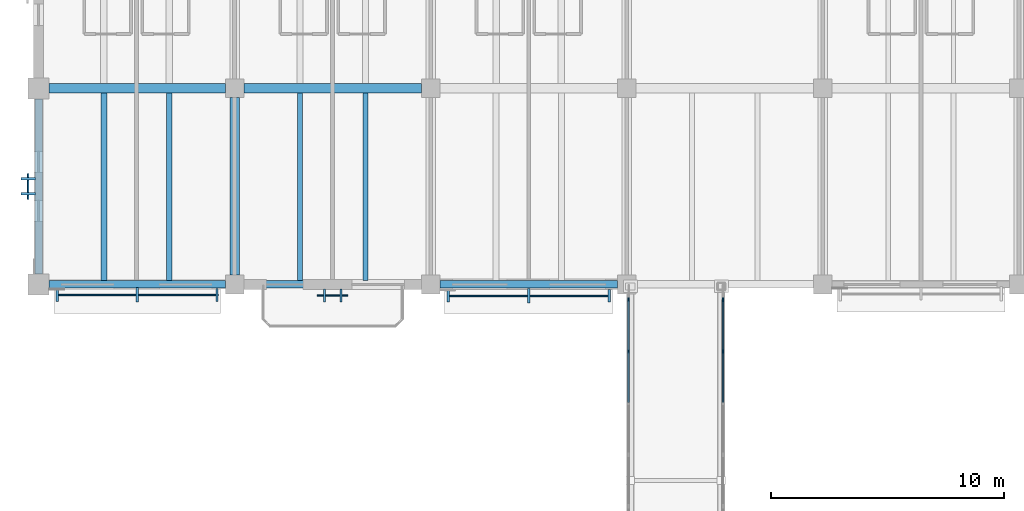
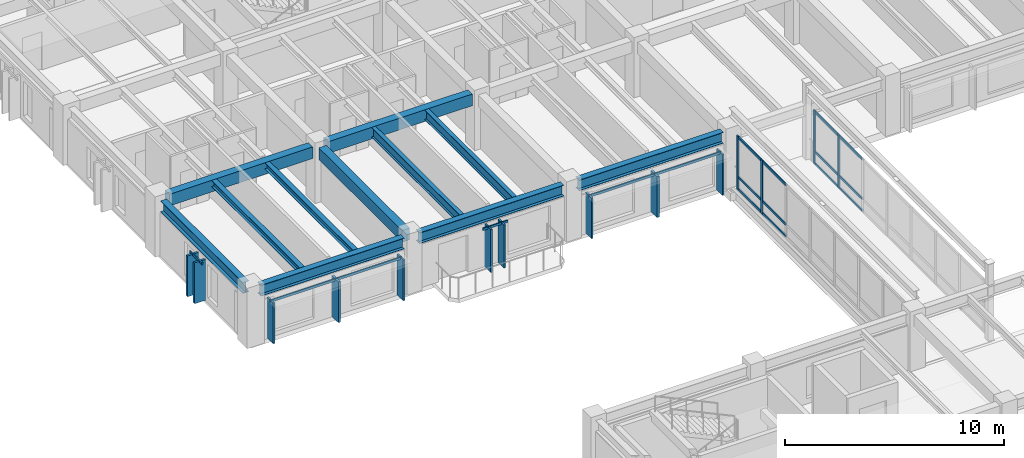
# One storey, part 15 of 123: 30 members, 11 beams, 6 elements without a shape of their own.
"""IFC4 building model written with IfcOpenShell, lengths in metres."""

from ifc_helpers import new_model, si_unit, direction, frame, origin, origin_2d, place, context, subcontext, project, spatial, rectangle, i_section, extrude, material, material_profile, profile_set, type_object, element, aggregate, save


model = new_model("IFC4")

# Units and contexts
model_context = context("Model", 3, precision=1e-05, world=origin(), true_north=direction((0.0, 1.0)))
body_context = subcontext(model_context, "Body", "Model", "MODEL_VIEW")
ifc_project = project(units=[si_unit("LENGTHUNIT", "METRE"), si_unit("AREAUNIT", "SQUARE_METRE"), si_unit("VOLUMEUNIT", "CUBIC_METRE"), si_unit("PLANEANGLEUNIT", "RADIAN"), si_unit("MASSUNIT", "GRAM", prefix="KILO")], contexts=[model_context])

# Site, building, storey
site_placement = place(None, origin())
site = spatial("IfcSite", under=ifc_project, at=site_placement, CompositionType="ELEMENT")
building_placement = place(site_placement, origin())
building = spatial("IfcBuilding", under=site, at=building_placement, Name="Cumbredor Promenade Congress Hotel", CompositionType="ELEMENT")
storey_placement = place(building_placement, frame((0.0, 0.0, 11.760009765625)))
storey = spatial("IfcBuildingStorey", under=building, at=storey_placement, Name="L03", CompositionType="ELEMENT", Elevation=11.760009765625)

# Beams
ifc_material_1 = material(Name="Concrete C40/50", Category="concrete")
ifc_material_profile_1 = material_profile(ifc_material_1, rectangle(XDim=0.39990234375, YDim=0.64990234375, at=origin_2d()), Name="RC BEAM 400x650")
ifc_profile_set_1 = profile_set([ifc_material_profile_1], Name="Concrete C40/50")
beam_type_1 = type_object("IfcBeamType", Name="BM-RC-400x650", PredefinedType="BEAM", material=ifc_profile_set_1)
beam_1_placement = place(storey_placement, frame((0.449951171875, 92.39990234375, 2.715087890625), z_axis=(1.0, 0.0, 0.0), x_axis=(0.0, 1.0, 0.0)))
element("IfcBeam", 1, at=beam_1_placement, inside=storey, type_object=beam_type_1, Name="L04 X-Grid Beam 003", PredefinedType="BEAM", context=body_context, shape_type="SweptSolid", body=[
    extrude(rectangle(XDim=0.39990234375, YDim=0.64990234375, at=origin_2d()), origin(), (0.0, 0.0, 1.0), 7.550048828125),
])
beam_2_placement = place(storey_placement, frame((8.39990234375, 84.39990234375, 2.715087890625), z_axis=(0.0, 1.0, 0.0), x_axis=(-1.0, 0.0, 0.0)))
element("IfcBeam", 2, at=beam_2_placement, inside=storey, type_object=beam_type_1, Name="L04 Y-Grid Beam 026", PredefinedType="BEAM", context=body_context, shape_type="SweptSolid", body=[
    extrude(rectangle(XDim=0.39990234375, YDim=0.64990234375, at=origin_2d()), origin(), (0.0, 0.0, 1.0), 7.60009765625),
])
beam_3_placement = place(storey_placement, frame((8.800048828125, 92.39990234375, 2.715087890625), z_axis=(1.0, 0.0, 0.0), x_axis=(0.0, 1.0, 0.0)))
element("IfcBeam", 3, at=beam_3_placement, inside=storey, type_object=beam_type_1, Name="L04 X-Grid Beam 027", PredefinedType="BEAM", context=body_context, shape_type="SweptSolid", body=[
    extrude(rectangle(XDim=0.39990234375, YDim=0.64990234375, at=origin_2d()), origin(), (0.0, 0.0, 1.0), 7.599853515625),
])
ifc_material_2 = material(Name="Steel ASTM A992 Grade 50", Category="steel")
ifc_material_profile_2 = material_profile(ifc_material_2, i_section(OverallWidth=0.323974609375, OverallDepth=0.611083984375, WebThickness=0.0126953125, FlangeThickness=0.01904296875, at=origin_2d()), Name="W24X104")
ifc_profile_set_2 = profile_set([ifc_material_profile_2], Name="Steel ASTM A992 Grade 50")
beam_type_2 = type_object("IfcBeamType", Name="BM-W24X104", PredefinedType="BEAM", material=ifc_profile_set_2)
beam_4_placement = place(storey_placement, frame((0.449951171875, 84.0, 2.734375), z_axis=(1.0, 0.0, 0.0), x_axis=(0.0, 1.0, 0.0)))
element("IfcBeam", 4, at=beam_4_placement, inside=storey, type_object=beam_type_2, Name="L04 X-Grid Beam 001", PredefinedType="BEAM", context=body_context, shape_type="SweptSolid", body=[
    extrude(i_section(OverallWidth=0.323974609375, OverallDepth=0.611083984375, WebThickness=0.0126953125, FlangeThickness=0.01904296875, at=origin_2d()), origin(), (0.0, 0.0, 1.0), 7.550048828125),
])
beam_5_placement = place(storey_placement, frame((8.800048828125, 84.0, 2.734375), z_axis=(1.0, 0.0, 0.0), x_axis=(0.0, 1.0, 0.0)))
element("IfcBeam", 5, at=beam_5_placement, inside=storey, type_object=beam_type_2, Name="L04 X-Grid Beam 025", PredefinedType="BEAM", context=body_context, shape_type="SweptSolid", body=[
    extrude(i_section(OverallWidth=0.323974609375, OverallDepth=0.611083984375, WebThickness=0.0126953125, FlangeThickness=0.01904296875, at=origin_2d()), origin(), (0.0, 0.0, 1.0), 7.599853515625),
])
beam_6_placement = place(storey_placement, frame((17.199951171875, 84.0, 2.734375), z_axis=(1.0, 0.0, 0.0), x_axis=(0.0, 1.0, 0.0)))
element("IfcBeam", 6, at=beam_6_placement, inside=storey, type_object=beam_type_2, Name="L04 X-Grid Beam 043", PredefinedType="BEAM", context=body_context, shape_type="SweptSolid", body=[
    extrude(i_section(OverallWidth=0.323974609375, OverallDepth=0.611083984375, WebThickness=0.0126953125, FlangeThickness=0.01904296875, at=origin_2d()), origin(), (0.0, 0.0, 1.0), 7.60009765625),
])

# Curtain wall, members
ifc_material_3 = material(Name="Thermally broken anodized aluminium and low-E glass", Category="aluminium")
curtain_wall_type_1 = type_object("IfcCurtainWallType", Name="Unitised Bridge Glazing Screen CW-05", PredefinedType="NOTDEFINED", material=ifc_material_3)
curtain_wall_1_placement = place(storey_placement, origin())
curtain_wall_1 = element("IfcCurtainWall", 7, at=curtain_wall_1_placement, inside=storey, type_object=curtain_wall_type_1, Name="L03 West Congress-to-Hotel Glazed Bridge West Glazing Screen", PredefinedType="NOTDEFINED")
ifc_material_4 = material(Name="Thermally broken anodized aluminium", Category="aluminium")
ifc_material_profile_3 = material_profile(ifc_material_4, rectangle(XDim=0.06494140625, YDim=0.159912109375, at=origin_2d()), Name="ALU MULLION 65x160")
ifc_profile_set_3 = profile_set([ifc_material_profile_3], Name="Thermally broken anodized aluminium")
member_type_1 = type_object("IfcMemberType", Name="Curtain Wall Mullion ML-01", PredefinedType="MULLION", material=ifc_profile_set_3)
member_1_placement = place(storey_placement, frame((25.280029296875, 81.128662109375, -0.008056640625), z_axis=(0.0, 0.0, 1.0), x_axis=(1.0, 0.0, 0.0)))
member_1 = element("IfcMember", 8, at=member_1_placement, type_object=member_type_1, Name="L03 West Congress-to-Hotel Glazed Bridge West Glazing Screen Mullion 7", PredefinedType="MULLION", context=body_context, shape_type="SweptSolid", body=[
    extrude(rectangle(XDim=0.06494140625, YDim=0.159912109375, at=origin_2d()), origin(), (0.0, 0.0, 1.0), 2.99609375),
])
member_2_placement = place(storey_placement, frame((25.280029296875, 83.340087890625, -0.008056640625), z_axis=(0.0, 0.0, 1.0), x_axis=(1.0, 0.0, 0.0)))
member_2 = element("IfcMember", 9, at=member_2_placement, type_object=member_type_1, Name="L03 West Congress-to-Hotel Glazed Bridge West Glazing Screen Mullion 8", PredefinedType="MULLION", context=body_context, shape_type="SweptSolid", body=[
    extrude(rectangle(XDim=0.06494140625, YDim=0.159912109375, at=origin_2d()), origin(), (0.0, 0.0, 1.0), 2.99609375),
])

curtain_wall_2_placement = place(storey_placement, origin())
curtain_wall_2 = element("IfcCurtainWall", 10, at=curtain_wall_2_placement, inside=storey, type_object=curtain_wall_type_1, Name="L03 West Congress-to-Hotel Glazed Bridge East Glazing Screen", PredefinedType="NOTDEFINED")
member_3_placement = place(storey_placement, frame((29.320068359375, 81.128662109375, -0.008056640625), z_axis=(0.0, 0.0, 1.0), x_axis=(1.0, 0.0, 0.0)))
member_3 = element("IfcMember", 11, at=member_3_placement, type_object=member_type_1, Name="L03 West Congress-to-Hotel Glazed Bridge East Glazing Screen Mullion 7", PredefinedType="MULLION", context=body_context, shape_type="SweptSolid", body=[
    extrude(rectangle(XDim=0.06494140625, YDim=0.159912109375, at=origin_2d()), origin(), (0.0, 0.0, 1.0), 2.99609375),
])
member_4_placement = place(storey_placement, frame((29.320068359375, 83.340087890625, -0.008056640625), z_axis=(0.0, 0.0, 1.0), x_axis=(1.0, 0.0, 0.0)))
member_4 = element("IfcMember", 12, at=member_4_placement, type_object=member_type_1, Name="L03 West Congress-to-Hotel Glazed Bridge East Glazing Screen Mullion 8", PredefinedType="MULLION", context=body_context, shape_type="SweptSolid", body=[
    extrude(rectangle(XDim=0.06494140625, YDim=0.159912109375, at=origin_2d()), origin(), (0.0, 0.0, 1.0), 2.99609375),
])

# Curtain wall, member
curtain_wall_type_2 = type_object("IfcCurtainWallType", Name="Solar Brise-Soleil Screen Assembly CW-07", PredefinedType="NOTDEFINED", material=ifc_material_3)
curtain_wall_3_placement = place(storey_placement, origin())
curtain_wall_3 = element("IfcCurtainWall", 13, at=curtain_wall_3_placement, inside=storey, type_object=curtain_wall_type_2, Name="L03 Hospitality Brise-Soleil Screen 056", PredefinedType="NOTDEFINED")
ifc_material_profile_4 = material_profile(ifc_material_4, rectangle(XDim=0.06494140625, YDim=0.1298828125, at=origin_2d()), Name="ALU TRANSOM 65x130")
ifc_profile_set_4 = profile_set([ifc_material_profile_4], Name="Thermally broken anodized aluminium")
member_type_2 = type_object("IfcMemberType", Name="Curtain Wall Transom TR-01", PredefinedType="USERDEFINED", material=ifc_profile_set_4)
member_5_placement = place(storey_placement, frame((0.7509765625, 83.550048828125, 2.23388671875), z_axis=(1.0, 0.0, 0.0), x_axis=(0.0, 1.0, 0.0)))
member_5 = element("IfcMember", 14, at=member_5_placement, type_object=member_type_2, Name="L03 Brise-Soleil Screen Transom 056", ObjectType="TRANSOM", PredefinedType="USERDEFINED", context=body_context, shape_type="SweptSolid", body=[
    extrude(rectangle(XDim=0.06494140625, YDim=0.1298828125, at=origin_2d()), origin(), (0.0, 0.0, 1.0), 6.947998046875),
])

curtain_wall_4_placement = place(storey_placement, origin())
curtain_wall_4 = element("IfcCurtainWall", 15, at=curtain_wall_4_placement, inside=storey, type_object=curtain_wall_type_2, Name="L03 Veranda Solar Brise-Soleil Screen 622", PredefinedType="NOTDEFINED")
member_6_placement = place(storey_placement, frame((11.949951171875, 83.527587890625, 2.333984375), z_axis=(1.0, 0.0, 0.0), x_axis=(0.0, 1.0, 0.0)))
member_6 = element("IfcMember", 16, at=member_6_placement, type_object=member_type_2, Name="L03 Brise-Soleil Header Tie 0624", ObjectType="TRANSOM", PredefinedType="USERDEFINED", context=body_context, shape_type="SweptSolid", body=[
    extrude(rectangle(XDim=0.06494140625, YDim=0.1298828125, at=origin_2d()), origin(), (0.0, 0.0, 1.0), 1.300048828125),
])

curtain_wall_5_placement = place(storey_placement, origin())
curtain_wall_5 = element("IfcCurtainWall", 17, at=curtain_wall_5_placement, inside=storey, type_object=curtain_wall_type_2, Name="L03 Hospitality Brise-Soleil Screen 057", PredefinedType="NOTDEFINED")
member_7_placement = place(storey_placement, frame((17.5009765625, 83.514892578125, 2.23388671875), z_axis=(1.0, 0.0, 0.0), x_axis=(0.0, 1.0, 0.0)))
member_7 = element("IfcMember", 18, at=member_7_placement, type_object=member_type_2, Name="L03 Brise-Soleil Screen Transom 057", ObjectType="TRANSOM", PredefinedType="USERDEFINED", context=body_context, shape_type="SweptSolid", body=[
    extrude(rectangle(XDim=0.06494140625, YDim=0.1298828125, at=origin_2d()), origin(), (0.0, 0.0, 1.0), 6.998046875),
])

curtain_wall_6_placement = place(storey_placement, origin())
curtain_wall_6 = element("IfcCurtainWall", 19, at=curtain_wall_6_placement, inside=storey, type_object=curtain_wall_type_2, Name="L03 Pier Brise-Soleil Screen 0673", PredefinedType="NOTDEFINED")
member_8_placement = place(storey_placement, frame((-0.449951171875, 87.64990234375, 2.25390625), z_axis=(0.0, 1.0, 0.0), x_axis=(-1.0, 0.0, 0.0)))
member_8 = element("IfcMember", 20, at=member_8_placement, type_object=member_type_2, Name="L03 Pier Brise-Soleil Header 0675", ObjectType="TRANSOM", PredefinedType="USERDEFINED", context=body_context, shape_type="SweptSolid", body=[
    extrude(rectangle(XDim=0.06494140625, YDim=0.1298828125, at=origin_2d()), origin(), (0.0, 0.0, 1.0), 1.10009765625),
])

# Member
member_9_placement = place(storey_placement, frame((25.280029296875, 78.94970703125, 0.06005859375), z_axis=(0.0, 1.0, 0.0), x_axis=(-1.0, 0.0, 0.0)))
member_9 = element("IfcMember", 21, at=member_9_placement, type_object=member_type_2, Name="L03 West Congress-to-Hotel Glazed Bridge West Glazing Screen Transom 6.1", ObjectType="TRANSOM", PredefinedType="USERDEFINED", context=body_context, shape_type="SweptSolid", body=[
    extrude(rectangle(XDim=0.06494140625, YDim=0.1298828125, at=origin_2d()), origin(), (0.0, 0.0, 1.0), 2.146484375),
])

member_10_placement = place(storey_placement, frame((25.280029296875, 78.94970703125, 0.719970703125), z_axis=(0.0, 1.0, 0.0), x_axis=(-1.0, 0.0, 0.0)))
member_10 = element("IfcMember", 22, at=member_10_placement, type_object=member_type_2, Name="L03 West Congress-to-Hotel Glazed Bridge West Glazing Screen Transom 6.2", ObjectType="TRANSOM", PredefinedType="USERDEFINED", context=body_context, shape_type="SweptSolid", body=[
    extrude(rectangle(XDim=0.06494140625, YDim=0.1298828125, at=origin_2d()), origin(), (0.0, 0.0, 1.0), 2.146484375),
])

member_11_placement = place(storey_placement, frame((25.280029296875, 78.94970703125, 2.919921875), z_axis=(0.0, 1.0, 0.0), x_axis=(-1.0, 0.0, 0.0)))
member_11 = element("IfcMember", 23, at=member_11_placement, type_object=member_type_2, Name="L03 West Congress-to-Hotel Glazed Bridge West Glazing Screen Transom 6.3", ObjectType="TRANSOM", PredefinedType="USERDEFINED", context=body_context, shape_type="SweptSolid", body=[
    extrude(rectangle(XDim=0.06494140625, YDim=0.1298828125, at=origin_2d()), origin(), (0.0, 0.0, 1.0), 2.146484375),
])

member_12_placement = place(storey_placement, frame((25.280029296875, 81.1611328125, 0.06005859375), z_axis=(0.0, 1.0, 0.0), x_axis=(-1.0, 0.0, 0.0)))
member_12 = element("IfcMember", 24, at=member_12_placement, type_object=member_type_2, Name="L03 West Congress-to-Hotel Glazed Bridge West Glazing Screen Transom 7.1", ObjectType="TRANSOM", PredefinedType="USERDEFINED", context=body_context, shape_type="SweptSolid", body=[
    extrude(rectangle(XDim=0.06494140625, YDim=0.1298828125, at=origin_2d()), origin(), (0.0, 0.0, 1.0), 2.146484375),
])

member_13_placement = place(storey_placement, frame((25.280029296875, 81.1611328125, 0.719970703125), z_axis=(0.0, 1.0, 0.0), x_axis=(-1.0, 0.0, 0.0)))
member_13 = element("IfcMember", 25, at=member_13_placement, type_object=member_type_2, Name="L03 West Congress-to-Hotel Glazed Bridge West Glazing Screen Transom 7.2", ObjectType="TRANSOM", PredefinedType="USERDEFINED", context=body_context, shape_type="SweptSolid", body=[
    extrude(rectangle(XDim=0.06494140625, YDim=0.1298828125, at=origin_2d()), origin(), (0.0, 0.0, 1.0), 2.146484375),
])

member_14_placement = place(storey_placement, frame((25.280029296875, 81.1611328125, 2.919921875), z_axis=(0.0, 1.0, 0.0), x_axis=(-1.0, 0.0, 0.0)))
member_14 = element("IfcMember", 26, at=member_14_placement, type_object=member_type_2, Name="L03 West Congress-to-Hotel Glazed Bridge West Glazing Screen Transom 7.3", ObjectType="TRANSOM", PredefinedType="USERDEFINED", context=body_context, shape_type="SweptSolid", body=[
    extrude(rectangle(XDim=0.06494140625, YDim=0.1298828125, at=origin_2d()), origin(), (0.0, 0.0, 1.0), 2.146484375),
])

aggregate(curtain_wall_1, [member_1, member_2, member_9, member_10, member_11, member_12, member_13, member_14])

member_15_placement = place(storey_placement, frame((29.320068359375, 78.94970703125, 0.06005859375), z_axis=(0.0, 1.0, 0.0), x_axis=(-1.0, 0.0, 0.0)))
member_15 = element("IfcMember", 27, at=member_15_placement, type_object=member_type_2, Name="L03 West Congress-to-Hotel Glazed Bridge East Glazing Screen Transom 6.1", ObjectType="TRANSOM", PredefinedType="USERDEFINED", context=body_context, shape_type="SweptSolid", body=[
    extrude(rectangle(XDim=0.06494140625, YDim=0.1298828125, at=origin_2d()), origin(), (0.0, 0.0, 1.0), 2.146484375),
])

member_16_placement = place(storey_placement, frame((29.320068359375, 78.94970703125, 0.719970703125), z_axis=(0.0, 1.0, 0.0), x_axis=(-1.0, 0.0, 0.0)))
member_16 = element("IfcMember", 28, at=member_16_placement, type_object=member_type_2, Name="L03 West Congress-to-Hotel Glazed Bridge East Glazing Screen Transom 6.2", ObjectType="TRANSOM", PredefinedType="USERDEFINED", context=body_context, shape_type="SweptSolid", body=[
    extrude(rectangle(XDim=0.06494140625, YDim=0.1298828125, at=origin_2d()), origin(), (0.0, 0.0, 1.0), 2.146484375),
])

member_17_placement = place(storey_placement, frame((29.320068359375, 78.94970703125, 2.919921875), z_axis=(0.0, 1.0, 0.0), x_axis=(-1.0, 0.0, 0.0)))
member_17 = element("IfcMember", 29, at=member_17_placement, type_object=member_type_2, Name="L03 West Congress-to-Hotel Glazed Bridge East Glazing Screen Transom 6.3", ObjectType="TRANSOM", PredefinedType="USERDEFINED", context=body_context, shape_type="SweptSolid", body=[
    extrude(rectangle(XDim=0.06494140625, YDim=0.1298828125, at=origin_2d()), origin(), (0.0, 0.0, 1.0), 2.146484375),
])

member_18_placement = place(storey_placement, frame((29.320068359375, 81.1611328125, 0.06005859375), z_axis=(0.0, 1.0, 0.0), x_axis=(-1.0, 0.0, 0.0)))
member_18 = element("IfcMember", 30, at=member_18_placement, type_object=member_type_2, Name="L03 West Congress-to-Hotel Glazed Bridge East Glazing Screen Transom 7.1", ObjectType="TRANSOM", PredefinedType="USERDEFINED", context=body_context, shape_type="SweptSolid", body=[
    extrude(rectangle(XDim=0.06494140625, YDim=0.1298828125, at=origin_2d()), origin(), (0.0, 0.0, 1.0), 2.146484375),
])

member_19_placement = place(storey_placement, frame((29.320068359375, 81.1611328125, 0.719970703125), z_axis=(0.0, 1.0, 0.0), x_axis=(-1.0, 0.0, 0.0)))
member_19 = element("IfcMember", 31, at=member_19_placement, type_object=member_type_2, Name="L03 West Congress-to-Hotel Glazed Bridge East Glazing Screen Transom 7.2", ObjectType="TRANSOM", PredefinedType="USERDEFINED", context=body_context, shape_type="SweptSolid", body=[
    extrude(rectangle(XDim=0.06494140625, YDim=0.1298828125, at=origin_2d()), origin(), (0.0, 0.0, 1.0), 2.146484375),
])

member_20_placement = place(storey_placement, frame((29.320068359375, 81.1611328125, 2.919921875), z_axis=(0.0, 1.0, 0.0), x_axis=(-1.0, 0.0, 0.0)))
member_20 = element("IfcMember", 32, at=member_20_placement, type_object=member_type_2, Name="L03 West Congress-to-Hotel Glazed Bridge East Glazing Screen Transom 7.3", ObjectType="TRANSOM", PredefinedType="USERDEFINED", context=body_context, shape_type="SweptSolid", body=[
    extrude(rectangle(XDim=0.06494140625, YDim=0.1298828125, at=origin_2d()), origin(), (0.0, 0.0, 1.0), 2.146484375),
])

aggregate(curtain_wall_2, [member_3, member_4, member_15, member_16, member_17, member_18, member_19, member_20])

# Beams
ifc_material_profile_5 = material_profile(ifc_material_2, i_section(OverallWidth=0.2548828125, OverallDepth=0.35693359375, WebThickness=0.010498046875, FlangeThickness=0.018310546875, at=origin_2d()), Name="W14X68")
ifc_profile_set_5 = profile_set([ifc_material_profile_5], Name="Steel ASTM A992 Grade 50")
beam_type_3 = type_object("IfcBeamType", Name="JST-W14X68", PredefinedType="JOIST", material=ifc_profile_set_5)
for number, where, z_axis, x_axis, name in (
    (33, (2.800048828125, 84.162109375, 2.861572265625), (0.0, 1.0, 0.0), (-1.0, 0.0, 0.0), "L04 Secondary Floor Joist 0001"),
    (34, (5.60009765625, 84.162109375, 2.861572265625), (0.0, 1.0, 0.0), (-1.0, 0.0, 0.0), "L04 Secondary Floor Joist 0002"),
):
    element("IfcBeam", number, at=place(storey_placement, frame(where, z_axis=z_axis, x_axis=x_axis)), inside=storey, type_object=beam_type_3, Name=name, PredefinedType="JOIST", context=body_context, shape_type="SweptSolid", body=[
        extrude(i_section(OverallWidth=0.2548828125, OverallDepth=0.35693359375, WebThickness=0.010498046875, FlangeThickness=0.018310546875, at=origin_2d()), origin(), (0.0, 0.0, 1.0), 8.037841796875),
    ])
ifc_material_profile_6 = material_profile(ifc_material_2, i_section(OverallWidth=0.214111328125, OverallDepth=0.549072265625, WebThickness=0.0146484375, FlangeThickness=0.023681640625, at=origin_2d()), Name="W21X93")
ifc_profile_set_6 = profile_set([ifc_material_profile_6], Name="Steel ASTM A992 Grade 50")
beam_type_4 = type_object("IfcBeamType", Name="JST-W21X93", PredefinedType="JOIST", material=ifc_profile_set_6)
for number, where, z_axis, x_axis, name in (
    (35, (11.199951171875, 84.162109375, 2.765380859375), (0.0, 1.0, 0.0), (-1.0, 0.0, 0.0), "L04 Secondary Floor Joist 0019"),
    (36, (14.0, 84.162109375, 2.765380859375), (0.0, 1.0, 0.0), (-1.0, 0.0, 0.0), "L04 Secondary Floor Joist 0020"),
):
    element("IfcBeam", number, at=place(storey_placement, frame(where, z_axis=z_axis, x_axis=x_axis)), inside=storey, type_object=beam_type_4, Name=name, PredefinedType="JOIST", context=body_context, shape_type="SweptSolid", body=[
        extrude(i_section(OverallWidth=0.214111328125, OverallDepth=0.549072265625, WebThickness=0.0146484375, FlangeThickness=0.023681640625, at=origin_2d()), origin(), (0.0, 0.0, 1.0), 8.037841796875),
    ])
ifc_material_profile_7 = material_profile(ifc_material_2, i_section(OverallWidth=0.323974609375, OverallDepth=0.611083984375, WebThickness=0.0126953125, FlangeThickness=0.01904296875, at=origin_2d()), Name="W24X104")
ifc_profile_set_7 = profile_set([ifc_material_profile_7], Name="Steel ASTM A992 Grade 50")
beam_type_5 = type_object("IfcBeamType", Name="SP-W24X104", PredefinedType="SPANDREL", material=ifc_profile_set_7)
beam_7_placement = place(storey_placement, frame((0.0, 84.449951171875, 2.734375), z_axis=(0.0, 1.0, 0.0), x_axis=(-1.0, 0.0, 0.0)))
element("IfcBeam", 37, at=beam_7_placement, inside=storey, type_object=beam_type_5, Name="L04 Y-Grid Beam 002", PredefinedType="SPANDREL", context=body_context, shape_type="SweptSolid", body=[
    extrude(i_section(OverallWidth=0.323974609375, OverallDepth=0.611083984375, WebThickness=0.0126953125, FlangeThickness=0.01904296875, at=origin_2d()), origin(), (0.0, 0.0, 1.0), 7.5),
])

# Member
ifc_material_profile_8 = material_profile(ifc_material_4, rectangle(XDim=0.110107421875, YDim=0.6201171875, at=origin_2d()), Name="ARCH FIN 110x620")
ifc_profile_set_8 = profile_set([ifc_material_profile_8], Name="Thermally broken anodized aluminium")
member_type_3 = type_object("IfcMemberType", Name="Vertical Bronze Brise-Soleil Fin BSF-02 110x620", PredefinedType="USERDEFINED", material=ifc_profile_set_8)
member_21_placement = place(storey_placement, frame((4.22509765625, 83.550048828125, 0.02001953125), z_axis=(0.0, 0.0, 1.0), x_axis=(1.0, 0.0, 0.0)))
member_21 = element("IfcMember", 38, at=member_21_placement, type_object=member_type_3, Name="L03 Vertical Brise-Soleil Fin 0620", ObjectType="SOLAR FIN", PredefinedType="USERDEFINED", context=body_context, shape_type="SweptSolid", body=[
    extrude(rectangle(XDim=0.110107421875, YDim=0.6201171875, at=origin_2d()), origin(), (0.0, 0.0, 1.0), 2.27392578125),
])

member_22_placement = place(storey_placement, frame((21.0, 83.514892578125, 0.02001953125), z_axis=(0.0, 0.0, 1.0), x_axis=(1.0, 0.0, 0.0)))
member_22 = element("IfcMember", 39, at=member_22_placement, type_object=member_type_3, Name="L03 Vertical Brise-Soleil Fin 0626", ObjectType="SOLAR FIN", PredefinedType="USERDEFINED", context=body_context, shape_type="SweptSolid", body=[
    extrude(rectangle(XDim=0.110107421875, YDim=0.6201171875, at=origin_2d()), origin(), (0.0, 0.0, 1.0), 2.27392578125),
])

member_23_placement = place(storey_placement, frame((-0.449951171875, 87.8798828125, 0.02001953125), z_axis=(0.0, 0.0, 1.0), x_axis=(0.0, 1.0, 0.0)))
member_23 = element("IfcMember", 40, at=member_23_placement, type_object=member_type_3, Name="L03 Pier Brise-Soleil Fin 0674", ObjectType="SOLAR FIN", PredefinedType="USERDEFINED", context=body_context, shape_type="SweptSolid", body=[
    extrude(rectangle(XDim=0.110107421875, YDim=0.6201171875, at=origin_2d()), origin(), (0.0, 0.0, 1.0), 2.27392578125),
])

member_24_placement = place(storey_placement, frame((-0.449951171875, 88.52001953125, 0.02001953125), z_axis=(0.0, 0.0, 1.0), x_axis=(0.0, 1.0, 0.0)))
member_24 = element("IfcMember", 41, at=member_24_placement, type_object=member_type_3, Name="L03 Pier Brise-Soleil Fin 0675", ObjectType="SOLAR FIN", PredefinedType="USERDEFINED", context=body_context, shape_type="SweptSolid", body=[
    extrude(rectangle(XDim=0.110107421875, YDim=0.6201171875, at=origin_2d()), origin(), (0.0, 0.0, 1.0), 2.27392578125),
])

aggregate(curtain_wall_6, [member_23, member_24, member_8])

ifc_material_5 = material(Name="Kiln-dried tropical hardwood", Category="wood")
ifc_material_profile_9 = material_profile(ifc_material_5, rectangle(XDim=0.090087890625, YDim=0.550048828125, at=origin_2d()), Name="ARCH FIN 90x550")
ifc_profile_set_9 = profile_set([ifc_material_profile_9], Name="Kiln-dried tropical hardwood")
member_type_4 = type_object("IfcMemberType", Name="Vertical Hardwood Brise-Soleil Fin BSF-01 90x550", PredefinedType="USERDEFINED", material=ifc_profile_set_9)
member_25_placement = place(storey_placement, frame((0.801025390625, 83.550048828125, 0.02001953125), z_axis=(0.0, 0.0, 1.0), x_axis=(1.0, 0.0, 0.0)))
member_25 = element("IfcMember", 42, at=member_25_placement, type_object=member_type_4, Name="L03 Vertical Brise-Soleil Fin 0619", ObjectType="SOLAR FIN", PredefinedType="USERDEFINED", context=body_context, shape_type="SweptSolid", body=[
    extrude(rectangle(XDim=0.090087890625, YDim=0.550048828125, at=origin_2d()), origin(), (0.0, 0.0, 1.0), 2.27392578125),
])

member_26_placement = place(storey_placement, frame((7.64892578125, 83.550048828125, 0.02001953125), z_axis=(0.0, 0.0, 1.0), x_axis=(1.0, 0.0, 0.0)))
member_26 = element("IfcMember", 43, at=member_26_placement, type_object=member_type_4, Name="L03 Vertical Brise-Soleil Fin 0621", ObjectType="SOLAR FIN", PredefinedType="USERDEFINED", context=body_context, shape_type="SweptSolid", body=[
    extrude(rectangle(XDim=0.090087890625, YDim=0.550048828125, at=origin_2d()), origin(), (0.0, 0.0, 1.0), 2.27392578125),
])

aggregate(curtain_wall_3, [member_5, member_25, member_21, member_26])

member_27_placement = place(storey_placement, frame((12.25, 83.527587890625, -0.010009765625), z_axis=(0.0, 0.0, 1.0), x_axis=(1.0, 0.0, 0.0)))
member_27 = element("IfcMember", 44, at=member_27_placement, type_object=member_type_4, Name="L03 Vertical Hardwood Brise-Soleil Fin 0623", ObjectType="SOLAR FIN", PredefinedType="USERDEFINED", context=body_context, shape_type="SweptSolid", body=[
    extrude(rectangle(XDim=0.090087890625, YDim=0.550048828125, at=origin_2d()), origin(), (0.0, 0.0, 1.0), 2.404052734375),
])

member_28_placement = place(storey_placement, frame((12.949951171875, 83.527587890625, -0.010009765625), z_axis=(0.0, 0.0, 1.0), x_axis=(1.0, 0.0, 0.0)))
member_28 = element("IfcMember", 45, at=member_28_placement, type_object=member_type_4, Name="L03 Vertical Hardwood Brise-Soleil Fin 0624", ObjectType="SOLAR FIN", PredefinedType="USERDEFINED", context=body_context, shape_type="SweptSolid", body=[
    extrude(rectangle(XDim=0.090087890625, YDim=0.550048828125, at=origin_2d()), origin(), (0.0, 0.0, 1.0), 2.404052734375),
])

aggregate(curtain_wall_4, [member_27, member_28, member_6])

member_29_placement = place(storey_placement, frame((17.551025390625, 83.514892578125, 0.02001953125), z_axis=(0.0, 0.0, 1.0), x_axis=(1.0, 0.0, 0.0)))
member_29 = element("IfcMember", 46, at=member_29_placement, type_object=member_type_4, Name="L03 Vertical Brise-Soleil Fin 0625", ObjectType="SOLAR FIN", PredefinedType="USERDEFINED", context=body_context, shape_type="SweptSolid", body=[
    extrude(rectangle(XDim=0.090087890625, YDim=0.550048828125, at=origin_2d()), origin(), (0.0, 0.0, 1.0), 2.27392578125),
])

member_30_placement = place(storey_placement, frame((24.448974609375, 83.514892578125, 0.02001953125), z_axis=(0.0, 0.0, 1.0), x_axis=(1.0, 0.0, 0.0)))
member_30 = element("IfcMember", 47, at=member_30_placement, type_object=member_type_4, Name="L03 Vertical Brise-Soleil Fin 0627", ObjectType="SOLAR FIN", PredefinedType="USERDEFINED", context=body_context, shape_type="SweptSolid", body=[
    extrude(rectangle(XDim=0.090087890625, YDim=0.550048828125, at=origin_2d()), origin(), (0.0, 0.0, 1.0), 2.27392578125),
])

aggregate(curtain_wall_5, [member_7, member_29, member_22, member_30])

save(model, "model.ifc")
